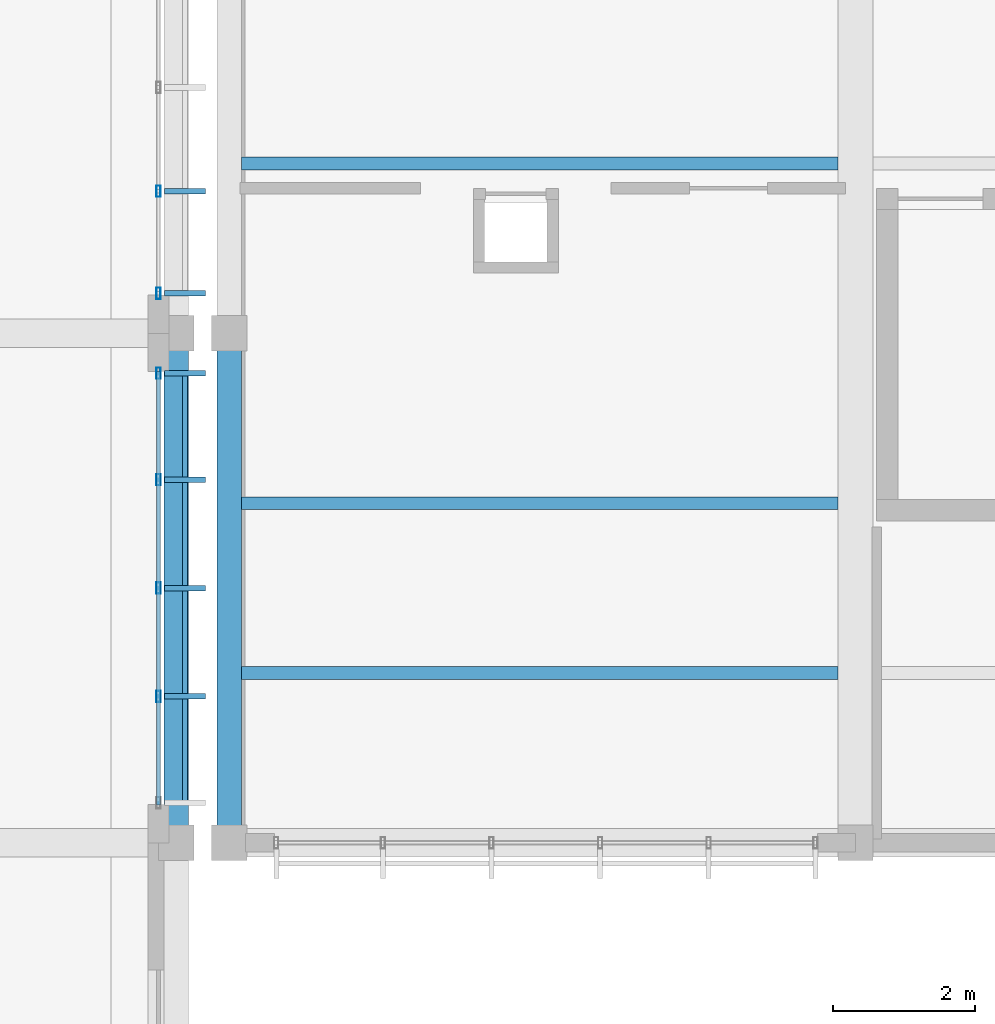
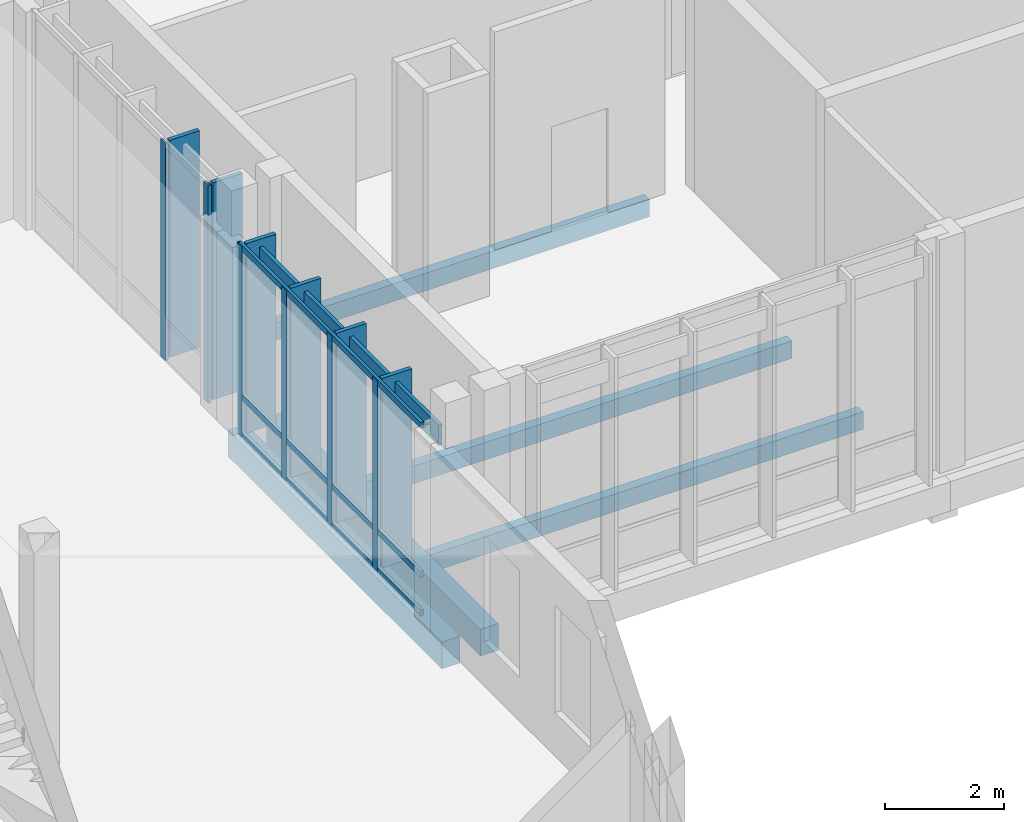
# One storey, part 28 of 177: 16 members, 5 beams, 2 elements without a shape of their own.
"""IFC4 building model written with IfcOpenShell, lengths in metres."""

from ifc_helpers import new_model, si_unit, direction, frame, origin, origin_2d, place, context, subcontext, project, spatial, rectangle, hollow_rectangle, extrude, material, material_profile, profile_set, type_object, element, aggregate, save


model = new_model("IFC4")

# Units and contexts
model_context = context("Model", 3, precision=1e-05, world=origin(), true_north=direction((0.0, 1.0)))
body_context = subcontext(model_context, "Body", "Model", "MODEL_VIEW")
ifc_project = project(units=[si_unit("LENGTHUNIT", "METRE"), si_unit("AREAUNIT", "SQUARE_METRE"), si_unit("VOLUMEUNIT", "CUBIC_METRE"), si_unit("PLANEANGLEUNIT", "RADIAN"), si_unit("MASSUNIT", "GRAM", prefix="KILO")], contexts=[model_context])

# Site, building, storey
site_placement = place(None, origin())
site = spatial("IfcSite", under=ifc_project, at=site_placement, CompositionType="ELEMENT")
building_placement = place(site_placement, origin())
building = spatial("IfcBuilding", under=site, at=building_placement, Name="Chiffa Square Polytechnic", CompositionType="ELEMENT")
storey_placement = place(building_placement, frame((0.0, 0.0, 4.800048828125)))
storey = spatial("IfcBuildingStorey", under=building, at=storey_placement, Name="L01", CompositionType="ELEMENT", Elevation=4.800048828125)

# Beams
ifc_material_1 = material(Name="Concrete C35/45", Category="concrete")
ifc_material_profile_1 = material_profile(ifc_material_1, rectangle(XDim=0.35009765625, YDim=0.550048828125, at=origin_2d()), Name="RC 350x550")
ifc_profile_set_1 = profile_set([ifc_material_profile_1], Name="Concrete C35/45")
beam_type_1 = type_object("IfcBeamType", Name="BM-RC-350X550", PredefinedType="BEAM", material=ifc_profile_set_1)
for number, where, z_axis, x_axis, name in (
    (1, (48.0, 21.60009765625, -0.554931640625), (0.0, 1.0, 0.0), (-1.0, 0.0, 0.0), "Primary floor girder BM-V3-L01-Y-0480-0216"),
    (2, (48.75, 21.60009765625, -0.554931640625), (0.0, 1.0, 0.0), (-1.0, 0.0, 0.0), "Primary floor girder BM-V4-L01-Y-0488-0216"),
):
    element("IfcBeam", number, at=place(storey_placement, frame(where, z_axis=z_axis, x_axis=x_axis)), inside=storey, type_object=beam_type_1, Name=name, PredefinedType="BEAM", context=body_context, shape_type="SweptSolid", body=[
        extrude(rectangle(XDim=0.35009765625, YDim=0.550048828125, at=origin_2d()), origin(), (0.0, 0.0, 1.0), 7.199951171875),
    ])

# Curtain wall, members
ifc_material_2 = material(Name="Aluminium EN AW-6060 T66 and glulam shading", Category="wood")
curtain_wall_type_1 = type_object("IfcCurtainWallType", Name="CW-VERT-480X380", PredefinedType="USERDEFINED", material=ifc_material_2)
curtain_wall_1_placement = place(storey_placement, origin())
curtain_wall_1 = element("IfcCurtainWall", 3, at=curtain_wall_1_placement, inside=storey, type_object=curtain_wall_type_1, Name="Curtain wall CW-V3-L01-158", ObjectType="CURTAIN WALL", PredefinedType="USERDEFINED")
ifc_material_3 = material(Name="Aluminium EN AW-6060 T66", Category="aluminium")
ifc_material_profile_2 = material_profile(ifc_material_3, hollow_rectangle(XDim=0.06005859375, YDim=0.159912109375, WallThickness=0.00390625, at=origin_2d()), Name="ALU 60x160x4")
ifc_profile_set_2 = profile_set([ifc_material_profile_2], Name="Aluminium EN AW-6060 T66")
member_type_1 = type_object("IfcMemberType", Name="CWM-ALU-65X150", PredefinedType="MULLION", material=ifc_profile_set_2)
member_1_placement = place(storey_placement, frame((47.75, 23.669921875, 0.0), z_axis=(0.0, 0.0, 1.0), x_axis=(1.0, 0.0, 0.0)))
member_1 = element("IfcMember", 4, at=member_1_placement, type_object=member_type_1, Name="Curtain wall mullion CW-V3-L01-158-M01", PredefinedType="MULLION", context=body_context, shape_type="SweptSolid", body=[
    extrude(hollow_rectangle(XDim=0.06005859375, YDim=0.159912109375, WallThickness=0.00390625, at=origin_2d()), origin(), (0.0, 0.0, 1.0), 3.9150390625),
])
member_2_placement = place(storey_placement, frame((47.75, 25.199951171875, 0.0), z_axis=(0.0, 0.0, 1.0), x_axis=(1.0, 0.0, 0.0)))
member_2 = element("IfcMember", 5, at=member_2_placement, type_object=member_type_1, Name="Curtain wall mullion CW-V3-L01-158-M02", PredefinedType="MULLION", context=body_context, shape_type="SweptSolid", body=[
    extrude(hollow_rectangle(XDim=0.06005859375, YDim=0.159912109375, WallThickness=0.00390625, at=origin_2d()), origin(), (0.0, 0.0, 1.0), 3.9150390625),
])
member_3_placement = place(storey_placement, frame((47.75, 26.72998046875, 0.0), z_axis=(0.0, 0.0, 1.0), x_axis=(1.0, 0.0, 0.0)))
member_3 = element("IfcMember", 6, at=member_3_placement, type_object=member_type_1, Name="Curtain wall mullion CW-V3-L01-158-M03", PredefinedType="MULLION", context=body_context, shape_type="SweptSolid", body=[
    extrude(hollow_rectangle(XDim=0.06005859375, YDim=0.159912109375, WallThickness=0.00390625, at=origin_2d()), origin(), (0.0, 0.0, 1.0), 3.9150390625),
])
member_4_placement = place(storey_placement, frame((47.75, 28.235107421875, 0.0), z_axis=(0.0, 0.0, 1.0), x_axis=(1.0, 0.0, 0.0)))
member_4 = element("IfcMember", 7, at=member_4_placement, type_object=member_type_1, Name="Curtain wall mullion CW-V3-L01-158-M04", PredefinedType="MULLION", context=body_context, shape_type="SweptSolid", body=[
    extrude(hollow_rectangle(XDim=0.06005859375, YDim=0.159912109375, WallThickness=0.00390625, at=origin_2d()), origin(), (0.0, 0.0, 1.0), 3.9150390625),
])

curtain_wall_type_2 = type_object("IfcCurtainWallType", Name="CW-VERT-540X440", PredefinedType="USERDEFINED", material=ifc_material_2)
curtain_wall_2_placement = place(storey_placement, origin())
curtain_wall_2 = element("IfcCurtainWall", 8, at=curtain_wall_2_placement, inside=storey, type_object=curtain_wall_type_2, Name="Curtain wall CW-V3-L01-159", ObjectType="CURTAIN WALL", PredefinedType="USERDEFINED")
member_5_placement = place(storey_placement, frame((47.75, 29.364990234375, 0.0), z_axis=(0.0, 0.0, 1.0), x_axis=(1.0, 0.0, 0.0)))
member_5 = element("IfcMember", 9, at=member_5_placement, type_object=member_type_1, Name="Curtain wall mullion CW-V3-L01-159-M00", PredefinedType="MULLION", context=body_context, shape_type="SweptSolid", body=[
    extrude(hollow_rectangle(XDim=0.06005859375, YDim=0.159912109375, WallThickness=0.00390625, at=origin_2d()), origin(), (0.0, 0.0, 1.0), 4.47998046875),
])
member_6_placement = place(storey_placement, frame((47.75, 30.80810546875, 0.0), z_axis=(0.0, 0.0, 1.0), x_axis=(1.0, 0.0, 0.0)))
member_6 = element("IfcMember", 10, at=member_6_placement, type_object=member_type_1, Name="Curtain wall mullion CW-V3-L01-159-M01", PredefinedType="MULLION", context=body_context, shape_type="SweptSolid", body=[
    extrude(hollow_rectangle(XDim=0.06005859375, YDim=0.159912109375, WallThickness=0.00390625, at=origin_2d()), origin(), (0.0, 0.0, 1.0), 4.47998046875),
])

# Member
ifc_material_4 = material(Name="Glulam GL28h", Category="wood")
ifc_material_profile_3 = material_profile(ifc_material_4, rectangle(XDim=0.080078125, YDim=0.580078125, at=origin_2d()), Name="GL28h 80x580")
ifc_profile_set_3 = profile_set([ifc_material_profile_3], Name="Glulam GL28h")
member_type_2 = type_object("IfcMemberType", Name="CWM-GL-80X580", PredefinedType="MULLION", material=ifc_profile_set_3)
member_7_placement = place(storey_placement, frame((48.1220703125, 23.669921875, 0.010009765625), z_axis=(0.0, 0.0, 1.0), x_axis=(0.0, 1.0, 0.0)))
member_7 = element("IfcMember", 11, at=member_7_placement, type_object=member_type_2, Name="Exterior glulam solar fin CW-V3-L01-158-FN01", PredefinedType="MULLION", context=body_context, shape_type="SweptSolid", body=[
    extrude(rectangle(XDim=0.080078125, YDim=0.580078125, at=origin_2d()), origin(), (0.0, 0.0, 1.0), 3.89501953125),
])

member_8_placement = place(storey_placement, frame((48.1220703125, 25.199951171875, 0.010009765625), z_axis=(0.0, 0.0, 1.0), x_axis=(0.0, 1.0, 0.0)))
member_8 = element("IfcMember", 12, at=member_8_placement, type_object=member_type_2, Name="Exterior glulam solar fin CW-V3-L01-158-FN02", PredefinedType="MULLION", context=body_context, shape_type="SweptSolid", body=[
    extrude(rectangle(XDim=0.080078125, YDim=0.580078125, at=origin_2d()), origin(), (0.0, 0.0, 1.0), 3.89501953125),
])

member_9_placement = place(storey_placement, frame((48.1220703125, 26.72998046875, 0.010009765625), z_axis=(0.0, 0.0, 1.0), x_axis=(0.0, 1.0, 0.0)))
member_9 = element("IfcMember", 13, at=member_9_placement, type_object=member_type_2, Name="Exterior glulam solar fin CW-V3-L01-158-FN03", PredefinedType="MULLION", context=body_context, shape_type="SweptSolid", body=[
    extrude(rectangle(XDim=0.080078125, YDim=0.580078125, at=origin_2d()), origin(), (0.0, 0.0, 1.0), 3.89501953125),
])

member_10_placement = place(storey_placement, frame((48.1220703125, 28.235107421875, 0.010009765625), z_axis=(0.0, 0.0, 1.0), x_axis=(0.0, 1.0, 0.0)))
member_10 = element("IfcMember", 14, at=member_10_placement, type_object=member_type_2, Name="Exterior glulam solar fin CW-V3-L01-158-FN04", PredefinedType="MULLION", context=body_context, shape_type="SweptSolid", body=[
    extrude(rectangle(XDim=0.080078125, YDim=0.580078125, at=origin_2d()), origin(), (0.0, 0.0, 1.0), 3.89501953125),
])

member_11_placement = place(storey_placement, frame((48.1220703125, 29.364990234375, 0.010009765625), z_axis=(0.0, 0.0, 1.0), x_axis=(0.0, 1.0, 0.0)))
member_11 = element("IfcMember", 15, at=member_11_placement, type_object=member_type_2, Name="Exterior glulam solar fin CW-V3-L01-159-FN00", PredefinedType="MULLION", context=body_context, shape_type="SweptSolid", body=[
    extrude(rectangle(XDim=0.080078125, YDim=0.580078125, at=origin_2d()), origin(), (0.0, 0.0, 1.0), 4.4599609375),
])

member_12_placement = place(storey_placement, frame((48.1220703125, 30.80810546875, 0.010009765625), z_axis=(0.0, 0.0, 1.0), x_axis=(0.0, 1.0, 0.0)))
member_12 = element("IfcMember", 16, at=member_12_placement, type_object=member_type_2, Name="Exterior glulam solar fin CW-V3-L01-159-FN01", PredefinedType="MULLION", context=body_context, shape_type="SweptSolid", body=[
    extrude(rectangle(XDim=0.080078125, YDim=0.580078125, at=origin_2d()), origin(), (0.0, 0.0, 1.0), 4.4599609375),
])

aggregate(curtain_wall_2, [member_5, member_11, member_6, member_12])

ifc_material_profile_4 = material_profile(ifc_material_3, hollow_rectangle(XDim=0.06005859375, YDim=0.1201171875, WallThickness=0.00390625, at=origin_2d()), Name="ALU 60x120x4")
ifc_profile_set_4 = profile_set([ifc_material_profile_4], Name="Aluminium EN AW-6060 T66")
member_type_3 = type_object("IfcMemberType", Name="CWT-ALU-65X120", PredefinedType="USERDEFINED", material=ifc_profile_set_4)
member_13_placement = place(storey_placement, frame((47.75, 22.137939453125, 0.030029296875), z_axis=(0.0, 1.0, 0.0), x_axis=(-1.0, 0.0, 0.0)))
member_13 = element("IfcMember", 17, at=member_13_placement, type_object=member_type_3, Name="Curtain wall transom CW-V3-L01-158-T01", ObjectType="TRANSOM", PredefinedType="USERDEFINED", context=body_context, shape_type="SweptSolid", body=[
    extrude(hollow_rectangle(XDim=0.06005859375, YDim=0.1201171875, WallThickness=0.00390625, at=origin_2d()), origin(), (0.0, 0.0, 1.0), 6.1240234375),
])

member_14_placement = place(storey_placement, frame((47.75, 22.137939453125, 0.820068359375), z_axis=(0.0, 1.0, 0.0), x_axis=(-1.0, 0.0, 0.0)))
member_14 = element("IfcMember", 18, at=member_14_placement, type_object=member_type_3, Name="Curtain wall transom CW-V3-L01-158-T02", ObjectType="TRANSOM", PredefinedType="USERDEFINED", context=body_context, shape_type="SweptSolid", body=[
    extrude(hollow_rectangle(XDim=0.06005859375, YDim=0.1201171875, WallThickness=0.00390625, at=origin_2d()), origin(), (0.0, 0.0, 1.0), 6.1240234375),
])

member_15_placement = place(storey_placement, frame((47.75, 22.137939453125, 3.885009765625), z_axis=(0.0, 1.0, 0.0), x_axis=(-1.0, 0.0, 0.0)))
member_15 = element("IfcMember", 19, at=member_15_placement, type_object=member_type_3, Name="Curtain wall transom CW-V3-L01-158-T03", ObjectType="TRANSOM", PredefinedType="USERDEFINED", context=body_context, shape_type="SweptSolid", body=[
    extrude(hollow_rectangle(XDim=0.06005859375, YDim=0.1201171875, WallThickness=0.00390625, at=origin_2d()), origin(), (0.0, 0.0, 1.0), 6.1240234375),
])

ifc_material_profile_5 = material_profile(ifc_material_4, rectangle(XDim=0.070068359375, YDim=0.419921875, at=origin_2d()), Name="GL28h 70x420")
ifc_profile_set_5 = profile_set([ifc_material_profile_5], Name="Glulam GL28h")
member_type_4 = type_object("IfcMemberType", Name="CWT-GL-70X420", PredefinedType="USERDEFINED", material=ifc_profile_set_5)
member_16_placement = place(storey_placement, frame((48.1220703125, 22.1650390625, 3.534912109375), z_axis=(0.0, 1.0, 0.0), x_axis=(-1.0, 0.0, 0.0)))
member_16 = element("IfcMember", 20, at=member_16_placement, type_object=member_type_4, Name="Exterior glulam brise-soleil CW-V3-L01-158-BS01", ObjectType="TRANSOM", PredefinedType="USERDEFINED", context=body_context, shape_type="SweptSolid", body=[
    extrude(rectangle(XDim=0.070068359375, YDim=0.419921875, at=origin_2d()), origin(), (0.0, 0.0, 1.0), 6.070068359375),
])

aggregate(curtain_wall_1, [member_1, member_7, member_2, member_8, member_3, member_9, member_4, member_10, member_13, member_14, member_15, member_16])

# Beams
ifc_material_profile_6 = material_profile(ifc_material_4, rectangle(XDim=0.179931640625, YDim=0.360107421875, at=origin_2d()), Name="GL28h 180x360")
ifc_profile_set_6 = profile_set([ifc_material_profile_6], Name="Glulam GL28h")
beam_type_2 = type_object("IfcBeamType", Name="JST-GL-180X360", PredefinedType="JOIST", material=ifc_profile_set_6)
for number, where, z_axis, x_axis, name in (
    (21, (48.923095703125, 24.0, -0.4599609375), (1.0, 0.0, 0.0), (0.0, 1.0, 0.0), "Secondary floor joist JST-V4-L01-0488-0240"),
    (22, (48.923095703125, 26.39990234375, -0.4599609375), (1.0, 0.0, 0.0), (0.0, 1.0, 0.0), "Secondary floor joist JST-V4-L01-0488-0264"),
    (23, (48.923095703125, 31.199951171875, -0.4599609375), (1.0, 0.0, 0.0), (0.0, 1.0, 0.0), "Secondary floor joist JST-V4-L01-0488-0312"),
):
    element("IfcBeam", number, at=place(storey_placement, frame(where, z_axis=z_axis, x_axis=x_axis)), inside=storey, type_object=beam_type_2, Name=name, PredefinedType="JOIST", context=body_context, shape_type="SweptSolid", body=[
        extrude(rectangle(XDim=0.179931640625, YDim=0.360107421875, at=origin_2d()), origin(), (0.0, 0.0, 1.0), 8.428955078125),
    ])

save(model, "model.ifc")
